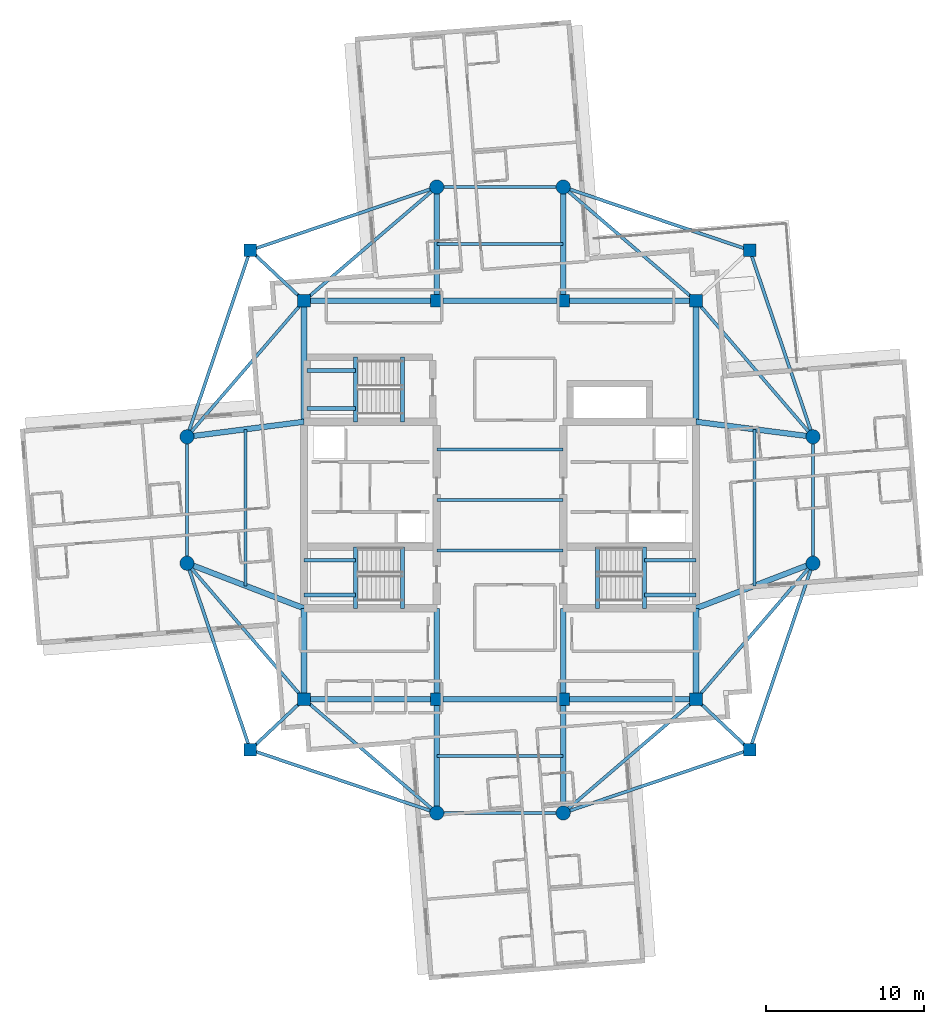
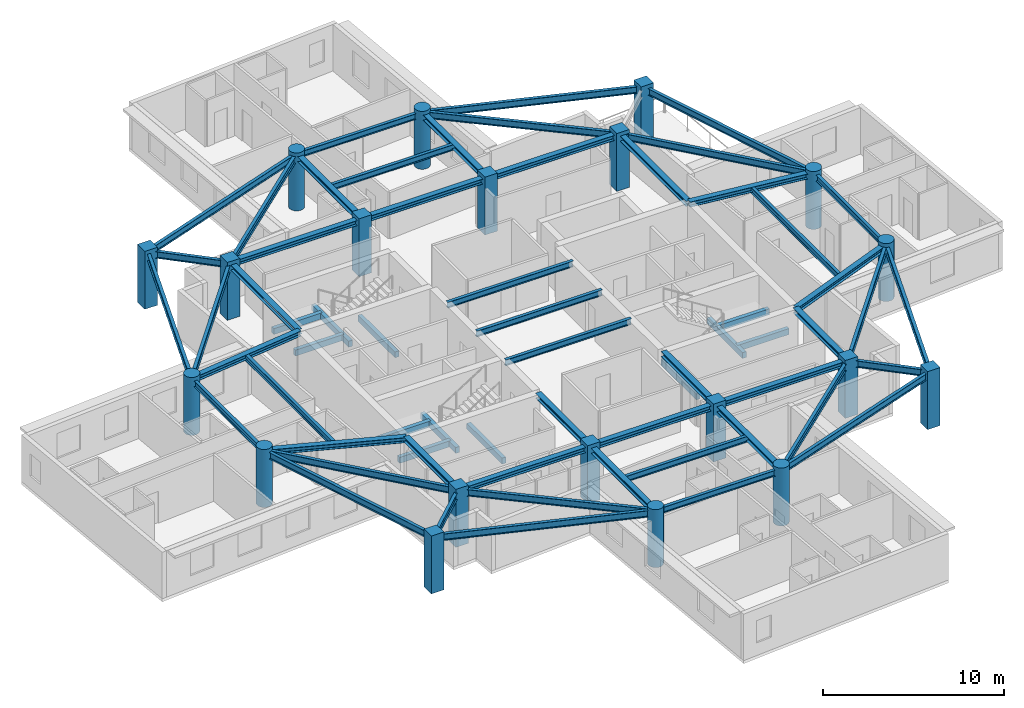
# One storey, part 1 of 13: 62 beams, 20 columns.
"""IFC4 building model written with IfcOpenShell, lengths in metres."""

from ifc_helpers import new_model, si_unit, direction, frame, origin, origin_2d, place, context, subcontext, project, spatial, rectangle, circle, i_section, extrude, material, material_profile, profile_set, type_object, element, save


model = new_model("IFC4")

# Units and contexts
model_context = context("Model", 3, precision=1e-05, world=origin(), true_north=direction((0.0, 1.0)))
body_context = subcontext(model_context, "Body", "Model", "MODEL_VIEW")
ifc_project = project(units=[si_unit("LENGTHUNIT", "METRE"), si_unit("AREAUNIT", "SQUARE_METRE"), si_unit("VOLUMEUNIT", "CUBIC_METRE"), si_unit("PLANEANGLEUNIT", "RADIAN"), si_unit("MASSUNIT", "GRAM", prefix="KILO")], contexts=[model_context])

# Site, building, storey
site_placement = place(None, origin())
site = spatial("IfcSite", under=ifc_project, at=site_placement, CompositionType="ELEMENT")
building_placement = place(site_placement, origin())
building = spatial("IfcBuilding", under=site, at=building_placement, Name="Qingluan Cross Belvedere", CompositionType="ELEMENT")
storey_placement = place(building_placement, frame((0.0, 0.0, 285.0)))
storey = spatial("IfcBuildingStorey", under=building, at=storey_placement, Name="L71", CompositionType="ELEMENT", Elevation=285.0)

# Columns
ifc_material_1 = material(Name="Concrete C50", Category="concrete")
ifc_material_profile_1 = material_profile(ifc_material_1, rectangle(XDim=0.800048828125, YDim=0.800048828125, at=origin_2d()), Name="RC800x800")
ifc_profile_set_1 = profile_set([ifc_material_profile_1], Name="Concrete C50")
column_type_1 = type_object("IfcColumnType", Name="Column_RC800x800", PredefinedType="COLUMN", material=ifc_profile_set_1)
for number, where, z_axis, x_axis, name in (
    (1, (15.800048828125, 15.800048828125, 0.0), (0.0, 0.0, 1.0), (1.0, 0.0, 0.0), "Corner column L71-RNE"),
    (2, (-15.800048828125, 15.800048828125, 0.0), (0.0, 0.0, 1.0), (1.0, 0.0, 0.0), "Corner column L71-RNW"),
    (3, (-15.800048828125, -15.800048828125, 0.0), (0.0, 0.0, 1.0), (1.0, 0.0, 0.0), "Corner column L71-RSW"),
    (4, (15.800048828125, -15.800048828125, 0.0), (0.0, 0.0, 1.0), (1.0, 0.0, 0.0), "Corner column L71-RSE"),
    (5, (-12.39990234375, -12.60009765625, 0.0), (0.0, 0.0, 1.0), (1.0, 0.0, 0.0), "Hub column L71-HC1"),
    (6, (12.39990234375, -12.60009765625, 0.0), (0.0, 0.0, 1.0), (1.0, 0.0, 0.0), "Hub column L71-HC2"),
    (7, (12.39990234375, 12.60009765625, 0.0), (0.0, 0.0, 1.0), (1.0, 0.0, 0.0), "Hub column L71-HC3"),
    (8, (-12.39990234375, 12.60009765625, 0.0), (0.0, 0.0, 1.0), (1.0, 0.0, 0.0), "Hub column L71-HC4"),
    (9, (-4.0, -12.60009765625, 0.0), (0.0, 0.0, 1.0), (1.0, 0.0, 0.0), "Hub column L71-HC5"),
    (10, (4.0, -12.60009765625, 0.0), (0.0, 0.0, 1.0), (1.0, 0.0, 0.0), "Hub column L71-HC6"),
    (11, (4.0, 12.60009765625, 0.0), (0.0, 0.0, 1.0), (1.0, 0.0, 0.0), "Hub column L71-HC7"),
    (12, (-4.0, 12.60009765625, 0.0), (0.0, 0.0, 1.0), (1.0, 0.0, 0.0), "Hub column L71-HC8"),
):
    element("IfcColumn", number, at=place(storey_placement, frame(where, z_axis=z_axis, x_axis=x_axis)), inside=storey, type_object=column_type_1, Name=name, PredefinedType="COLUMN", context=body_context, shape_type="SweptSolid", body=[
        extrude(rectangle(XDim=0.800048828125, YDim=0.800048828125, at=origin_2d()), origin(), (0.0, 0.0, 1.0), 3.89990234375),
    ])
ifc_material_2 = material(Name="Concrete C50", Category="concrete")
ifc_material_profile_2 = material_profile(ifc_material_2, circle(Radius=0.449951171875, at=origin_2d()), Name="RCC900")
ifc_profile_set_2 = profile_set([ifc_material_profile_2], Name="Concrete C50")
column_type_2 = type_object("IfcColumnType", Name="Column_RCC900", PredefinedType="COLUMN", material=ifc_profile_set_2)
for number, where, z_axis, x_axis, name in (
    (13, (19.800048828125, -4.0, 0.0), (0.0, 0.0, 1.0), (1.0, 0.0, 0.0), "Arm column L71-EIA"),
    (14, (19.800048828125, 4.0, 0.0), (0.0, 0.0, 1.0), (1.0, 0.0, 0.0), "Arm column L71-EIB"),
    (15, (-19.800048828125, -4.0, 0.0), (0.0, 0.0, 1.0), (1.0, 0.0, 0.0), "Arm column L71-WIA"),
    (16, (-19.800048828125, 4.0, 0.0), (0.0, 0.0, 1.0), (1.0, 0.0, 0.0), "Arm column L71-WIB"),
    (17, (-4.0, -19.800048828125, 0.0), (0.0, 0.0, 1.0), (1.0, 0.0, 0.0), "Arm column L71-SIA"),
    (18, (4.0, -19.800048828125, 0.0), (0.0, 0.0, 1.0), (1.0, 0.0, 0.0), "Arm column L71-SIB"),
    (19, (-4.0, 19.800048828125, 0.0), (0.0, 0.0, 1.0), (1.0, 0.0, 0.0), "Arm column L71-NIA"),
    (20, (4.0, 19.800048828125, 0.0), (0.0, 0.0, 1.0), (1.0, 0.0, 0.0), "Arm column L71-NIB"),
):
    element("IfcColumn", number, at=place(storey_placement, frame(where, z_axis=z_axis, x_axis=x_axis)), inside=storey, type_object=column_type_2, Name=name, PredefinedType="COLUMN", context=body_context, shape_type="SweptSolid", body=[
        extrude(circle(Radius=0.449951171875, at=origin_2d()), origin(), (0.0, 0.0, 1.0), 3.89990234375),
    ])

# Beams
ifc_material_3 = material(Name="Concrete C45", Category="concrete")
ifc_material_profile_3 = material_profile(ifc_material_3, rectangle(XDim=0.25, YDim=0.39990234375, at=origin_2d()), Name="RC250x400")
ifc_profile_set_3 = profile_set([ifc_material_profile_3], Name="Concrete C45")
beam_type_1 = type_object("IfcBeamType", Name="RC_Lintel_RC250x400", PredefinedType="LINTEL", material=ifc_profile_set_3)
for number, where, z_axis, x_axis, name in (
    (21, (-6.179931640625, -6.85009765625, -0.199951171875), (0.0, 1.0, 0.0), (-1.0, 0.0, 0.0), "Stair ST1 landing beam L71"),
    (22, (6.179931640625, -6.85009765625, -0.199951171875), (0.0, 1.0, 0.0), (-1.0, 0.0, 0.0), "Stair ST2 landing beam L71"),
):
    element("IfcBeam", number, at=place(storey_placement, frame(where, z_axis=z_axis, x_axis=x_axis)), inside=storey, type_object=beam_type_1, Name=name, PredefinedType="LINTEL", context=body_context, shape_type="SweptSolid", body=[
        extrude(rectangle(XDim=0.25, YDim=0.39990234375, at=origin_2d()), origin(), (0.0, 0.0, 1.0), 3.89013671875),
    ])
beam_1_placement = place(storey_placement, frame((-6.179931640625, 4.949951171875, -0.199951171875), z_axis=(0.0, 1.0, 0.0), x_axis=(-1.0, 0.0, 0.0)))
element("IfcBeam", 23, at=beam_1_placement, inside=storey, type_object=beam_type_1, Name="Stair ST3 landing beam L71", PredefinedType="LINTEL", context=body_context, shape_type="SweptSolid", body=[
    extrude(rectangle(XDim=0.25, YDim=0.39990234375, at=origin_2d()), origin(), (0.0, 0.0, 1.0), 4.090087890625),
])
beam_2_placement = place(storey_placement, frame((-9.1298828125, -6.85009765625, 1.550048828125), z_axis=(0.0, 1.0, 0.0), x_axis=(-1.0, 0.0, 0.0)))
element("IfcBeam", 24, at=beam_2_placement, inside=storey, type_object=beam_type_1, Name="Stair ST1 beam A L71", PredefinedType="LINTEL", context=body_context, shape_type="SweptSolid", body=[
    extrude(rectangle(XDim=0.25, YDim=0.39990234375, at=origin_2d()), origin(), (0.0, 0.0, 1.0), 3.89013671875),
])
for number, where, z_axis, x_axis, name in (
    (25, (-12.39990234375, -6.0, 1.550048828125), (1.0, 0.0, 0.0), (0.0, 1.0, 0.0), "Stair ST1 beam B L71"),
    (26, (-12.39990234375, -3.81005859375, 1.550048828125), (1.0, 0.0, 0.0), (0.0, 1.0, 0.0), "Stair ST1 beam C L71"),
):
    element("IfcBeam", number, at=place(storey_placement, frame(where, z_axis=z_axis, x_axis=x_axis)), inside=storey, type_object=beam_type_1, Name=name, PredefinedType="LINTEL", context=body_context, shape_type="SweptSolid", body=[
        extrude(rectangle(XDim=0.25, YDim=0.39990234375, at=origin_2d()), origin(), (0.0, 0.0, 1.0), 3.27001953125),
    ])
beam_3_placement = place(storey_placement, frame((9.1298828125, -6.85009765625, 1.550048828125), z_axis=(0.0, 1.0, 0.0), x_axis=(-1.0, 0.0, 0.0)))
element("IfcBeam", 27, at=beam_3_placement, inside=storey, type_object=beam_type_1, Name="Stair ST2 beam A L71", PredefinedType="LINTEL", context=body_context, shape_type="SweptSolid", body=[
    extrude(rectangle(XDim=0.25, YDim=0.39990234375, at=origin_2d()), origin(), (0.0, 0.0, 1.0), 3.89013671875),
])
for number, where, z_axis, x_axis, name in (
    (28, (12.39990234375, -6.0, 1.550048828125), (-1.0, 0.0, 0.0), (0.0, -1.0, 0.0), "Stair ST2 beam B L71"),
    (29, (12.39990234375, -3.81005859375, 1.550048828125), (-1.0, 0.0, 0.0), (0.0, -1.0, 0.0), "Stair ST2 beam C L71"),
):
    element("IfcBeam", number, at=place(storey_placement, frame(where, z_axis=z_axis, x_axis=x_axis)), inside=storey, type_object=beam_type_1, Name=name, PredefinedType="LINTEL", context=body_context, shape_type="SweptSolid", body=[
        extrude(rectangle(XDim=0.25, YDim=0.39990234375, at=origin_2d()), origin(), (0.0, 0.0, 1.0), 3.27001953125),
    ])
beam_4_placement = place(storey_placement, frame((-9.1298828125, 4.949951171875, 1.550048828125), z_axis=(0.0, 1.0, 0.0), x_axis=(-1.0, 0.0, 0.0)))
element("IfcBeam", 30, at=beam_4_placement, inside=storey, type_object=beam_type_1, Name="Stair ST3 beam A L71", PredefinedType="LINTEL", context=body_context, shape_type="SweptSolid", body=[
    extrude(rectangle(XDim=0.25, YDim=0.39990234375, at=origin_2d()), origin(), (0.0, 0.0, 1.0), 4.090087890625),
])
for number, where, z_axis, x_axis, name in (
    (31, (-12.219970703125, 5.800048828125, 1.550048828125), (1.0, 0.0, 0.0), (0.0, 1.0, 0.0), "Stair ST3 beam B L71"),
    (32, (-12.219970703125, 8.18994140625, 1.550048828125), (1.0, 0.0, 0.0), (0.0, 1.0, 0.0), "Stair ST3 beam C L71"),
):
    element("IfcBeam", number, at=place(storey_placement, frame(where, z_axis=z_axis, x_axis=x_axis)), inside=storey, type_object=beam_type_1, Name=name, PredefinedType="LINTEL", context=body_context, shape_type="SweptSolid", body=[
        extrude(rectangle(XDim=0.25, YDim=0.39990234375, at=origin_2d()), origin(), (0.0, 0.0, 1.0), 3.090087890625),
    ])
ifc_material_4 = material(Name="Steel Q420GJB", Category="steel")
ifc_material_profile_4 = material_profile(ifc_material_4, i_section(OverallWidth=0.199951171875, OverallDepth=0.39990234375, WebThickness=0.008056640625, FlangeThickness=0.012939453125, FilletRadius=0.012939453125, at=origin_2d()), Name="HN400x200x8x13")
ifc_profile_set_4 = profile_set([ifc_material_profile_4], Name="Steel Q420GJB")
beam_type_2 = type_object("IfcBeamType", Name="Steel_Beam_HN400x200x8x13", PredefinedType="JOIST", material=ifc_profile_set_4)
for number, where, z_axis, x_axis, name in (
    (33, (-4.0, -3.199951171875, 3.449951171875), (1.0, 0.0, 0.0), (0.0, 1.0, 0.0), "Hall beam L71-CH1"),
    (34, (-4.0, 0.0, 3.449951171875), (1.0, 0.0, 0.0), (0.0, 1.0, 0.0), "Hall beam L71-CH2"),
    (35, (-4.0, 3.199951171875, 3.449951171875), (1.0, 0.0, 0.0), (0.0, 1.0, 0.0), "Hall beam L71-CH3"),
    (36, (19.800048828125, -4.0, 3.449951171875), (0.0, 1.0, 0.0), (-1.0, 0.0, 0.0), "Arm E tie L71"),
):
    element("IfcBeam", number, at=place(storey_placement, frame(where, z_axis=z_axis, x_axis=x_axis)), inside=storey, type_object=beam_type_2, Name=name, PredefinedType="JOIST", context=body_context, shape_type="SweptSolid", body=[
        extrude(i_section(OverallWidth=0.199951171875, OverallDepth=0.39990234375, WebThickness=0.008056640625, FlangeThickness=0.012939453125, FilletRadius=0.012939453125, at=origin_2d()), origin(), (0.0, 0.0, 1.0), 8.0),
    ])
beam_5_placement = place(storey_placement, frame((16.10009765625, -5.425048828125, 3.449951171875), z_axis=(0.0, 1.0, 0.0), x_axis=(-1.0, 0.0, 0.0)))
element("IfcBeam", 37, at=beam_5_placement, inside=storey, type_object=beam_type_2, Name="Arm E beam L71", PredefinedType="JOIST", context=body_context, shape_type="SweptSolid", body=[
    extrude(i_section(OverallWidth=0.199951171875, OverallDepth=0.39990234375, WebThickness=0.008056640625, FlangeThickness=0.012939453125, FilletRadius=0.012939453125, at=origin_2d()), origin(), (0.0, 0.0, 1.0), 9.900146484375),
])
beam_6_placement = place(storey_placement, frame((-19.800048828125, -4.0, 3.449951171875), z_axis=(0.0, 1.0, 0.0), x_axis=(-1.0, 0.0, 0.0)))
element("IfcBeam", 38, at=beam_6_placement, inside=storey, type_object=beam_type_2, Name="Arm W tie L71", PredefinedType="JOIST", context=body_context, shape_type="SweptSolid", body=[
    extrude(i_section(OverallWidth=0.199951171875, OverallDepth=0.39990234375, WebThickness=0.008056640625, FlangeThickness=0.012939453125, FilletRadius=0.012939453125, at=origin_2d()), origin(), (0.0, 0.0, 1.0), 8.0),
])
beam_7_placement = place(storey_placement, frame((-16.10009765625, -5.425048828125, 3.449951171875), z_axis=(0.0, 1.0, 0.0), x_axis=(-1.0, 0.0, 0.0)))
element("IfcBeam", 39, at=beam_7_placement, inside=storey, type_object=beam_type_2, Name="Arm W beam L71", PredefinedType="JOIST", context=body_context, shape_type="SweptSolid", body=[
    extrude(i_section(OverallWidth=0.199951171875, OverallDepth=0.39990234375, WebThickness=0.008056640625, FlangeThickness=0.012939453125, FilletRadius=0.012939453125, at=origin_2d()), origin(), (0.0, 0.0, 1.0), 9.900146484375),
])
for number, where, z_axis, x_axis, name in (
    (40, (-4.0, 19.800048828125, 3.449951171875), (1.0, 0.0, 0.0), (0.0, 1.0, 0.0), "Arm N tie L71"),
    (41, (-4.0, 16.199951171875, 3.449951171875), (1.0, 0.0, 0.0), (0.0, 1.0, 0.0), "Arm N beam L71"),
    (42, (-4.0, -19.800048828125, 3.449951171875), (1.0, 0.0, 0.0), (0.0, 1.0, 0.0), "Arm S tie L71"),
    (43, (-4.0, -16.199951171875, 3.449951171875), (1.0, 0.0, 0.0), (0.0, 1.0, 0.0), "Arm S beam L71"),
):
    element("IfcBeam", number, at=place(storey_placement, frame(where, z_axis=z_axis, x_axis=x_axis)), inside=storey, type_object=beam_type_2, Name=name, PredefinedType="JOIST", context=body_context, shape_type="SweptSolid", body=[
        extrude(i_section(OverallWidth=0.199951171875, OverallDepth=0.39990234375, WebThickness=0.008056640625, FlangeThickness=0.012939453125, FilletRadius=0.012939453125, at=origin_2d()), origin(), (0.0, 0.0, 1.0), 8.0),
    ])
ifc_material_5 = material(Name="Steel Q420GJB", Category="steel")
ifc_material_profile_5 = material_profile(ifc_material_5, i_section(OverallWidth=0.199951171875, OverallDepth=0.449951171875, WebThickness=0.009033203125, FlangeThickness=0.013916015625, FilletRadius=0.01611328125, at=origin_2d()), Name="HN450x200x9x14")
ifc_profile_set_5 = profile_set([ifc_material_profile_5], Name="Steel Q420GJB")
beam_type_3 = type_object("IfcBeamType", Name="Steel_Beam_HN450x200x9x14", PredefinedType="JOIST", material=ifc_profile_set_5)
for number, where, z_axis, x_axis, name in (
    (44, (15.800048828125, 15.800048828125, 3.425048828125), (-0.947066283324, 0.321038089628, 0.0), (-0.321038089628, -0.947066283324, 0.0), "Corner beam 2 L71-RNE"),
    (45, (15.800048828125, 15.800048828125, 3.425048828125), (0.321038089628, -0.947066283324, 0.0), (0.947066283324, 0.321038089628, 0.0), "Corner beam 3 L71-RNE"),
):
    element("IfcBeam", number, at=place(storey_placement, frame(where, z_axis=z_axis, x_axis=x_axis)), inside=storey, type_object=beam_type_3, Name=name, PredefinedType="JOIST", context=body_context, shape_type="SweptSolid", body=[
        extrude(i_section(OverallWidth=0.199951171875, OverallDepth=0.449951171875, WebThickness=0.009033203125, FlangeThickness=0.013916015625, FilletRadius=0.01611328125, at=origin_2d()), origin(), (0.0, 0.0, 1.0), 12.45947265625),
    ])
beam_8_placement = place(storey_placement, frame((12.39990234375, 12.60009765625, 3.425048828125), z_axis=(0.652245077546, -0.75800815221, 0.0), x_axis=(0.75800815221, 0.652245077546, 0.0)))
element("IfcBeam", 46, at=beam_8_placement, inside=storey, type_object=beam_type_3, Name="Corner beam 4 L71-RNE", PredefinedType="JOIST", context=body_context, shape_type="SweptSolid", body=[
    extrude(i_section(OverallWidth=0.199951171875, OverallDepth=0.449951171875, WebThickness=0.009033203125, FlangeThickness=0.013916015625, FilletRadius=0.01611328125, at=origin_2d()), origin(), (0.0, 0.0, 1.0), 11.345703125),
])
beam_9_placement = place(storey_placement, frame((12.39990234375, 12.60009765625, 3.425048828125), z_axis=(-0.759255044656, 0.650793190779, 0.0), x_axis=(-0.650793190779, -0.759255044656, 0.0)))
element("IfcBeam", 47, at=beam_9_placement, inside=storey, type_object=beam_type_3, Name="Corner beam 5 L71-RNE", PredefinedType="JOIST", context=body_context, shape_type="SweptSolid", body=[
    extrude(i_section(OverallWidth=0.199951171875, OverallDepth=0.449951171875, WebThickness=0.009033203125, FlangeThickness=0.013916015625, FilletRadius=0.01611328125, at=origin_2d()), origin(), (0.0, 0.0, 1.0), 11.063232421875),
])
beam_10_placement = place(storey_placement, frame((-12.39990234375, 12.60009765625, 3.425048828125), z_axis=(-0.728219948308, 0.685343495546, 0.0), x_axis=(-0.685343495546, -0.728219948308, 0.0)))
element("IfcBeam", 48, at=beam_10_placement, inside=storey, type_object=beam_type_3, Name="Corner beam 1 L71-RNW", PredefinedType="JOIST", context=body_context, shape_type="SweptSolid", body=[
    extrude(i_section(OverallWidth=0.199951171875, OverallDepth=0.449951171875, WebThickness=0.009033203125, FlangeThickness=0.013916015625, FilletRadius=0.01611328125, at=origin_2d()), origin(), (0.0, 0.0, 1.0), 4.669189453125),
])
for number, where, z_axis, x_axis, name in (
    (49, (-15.800048828125, 15.800048828125, 3.425048828125), (0.947066283324, 0.321038089628, 0.0), (-0.321038089628, 0.947066283324, 0.0), "Corner beam 2 L71-RNW"),
    (50, (-15.800048828125, 15.800048828125, 3.425048828125), (-0.321038089628, -0.947066283324, 0.0), (0.947066283324, -0.321038089628, 0.0), "Corner beam 3 L71-RNW"),
):
    element("IfcBeam", number, at=place(storey_placement, frame(where, z_axis=z_axis, x_axis=x_axis)), inside=storey, type_object=beam_type_3, Name=name, PredefinedType="JOIST", context=body_context, shape_type="SweptSolid", body=[
        extrude(i_section(OverallWidth=0.199951171875, OverallDepth=0.449951171875, WebThickness=0.009033203125, FlangeThickness=0.013916015625, FilletRadius=0.01611328125, at=origin_2d()), origin(), (0.0, 0.0, 1.0), 12.45947265625),
    ])
beam_11_placement = place(storey_placement, frame((-12.39990234375, 12.60009765625, 3.425048828125), z_axis=(-0.652245077546, -0.75800815221, 0.0), x_axis=(0.75800815221, -0.652245077546, 0.0)))
element("IfcBeam", 51, at=beam_11_placement, inside=storey, type_object=beam_type_3, Name="Corner beam 4 L71-RNW", PredefinedType="JOIST", context=body_context, shape_type="SweptSolid", body=[
    extrude(i_section(OverallWidth=0.199951171875, OverallDepth=0.449951171875, WebThickness=0.009033203125, FlangeThickness=0.013916015625, FilletRadius=0.01611328125, at=origin_2d()), origin(), (0.0, 0.0, 1.0), 11.345703125),
])
beam_12_placement = place(storey_placement, frame((-12.39990234375, 12.60009765625, 3.425048828125), z_axis=(0.759255044656, 0.650793190779, 0.0), x_axis=(-0.650793190779, 0.759255044656, 0.0)))
element("IfcBeam", 52, at=beam_12_placement, inside=storey, type_object=beam_type_3, Name="Corner beam 5 L71-RNW", PredefinedType="JOIST", context=body_context, shape_type="SweptSolid", body=[
    extrude(i_section(OverallWidth=0.199951171875, OverallDepth=0.449951171875, WebThickness=0.009033203125, FlangeThickness=0.013916015625, FilletRadius=0.01611328125, at=origin_2d()), origin(), (0.0, 0.0, 1.0), 11.063232421875),
])
beam_13_placement = place(storey_placement, frame((-12.39990234375, -12.60009765625, 3.425048828125), z_axis=(-0.728219948308, -0.685343495546, 0.0), x_axis=(0.685343495546, -0.728219948308, 0.0)))
element("IfcBeam", 53, at=beam_13_placement, inside=storey, type_object=beam_type_3, Name="Corner beam 1 L71-RSW", PredefinedType="JOIST", context=body_context, shape_type="SweptSolid", body=[
    extrude(i_section(OverallWidth=0.199951171875, OverallDepth=0.449951171875, WebThickness=0.009033203125, FlangeThickness=0.013916015625, FilletRadius=0.01611328125, at=origin_2d()), origin(), (0.0, 0.0, 1.0), 4.669189453125),
])
for number, where, z_axis, x_axis, name in (
    (54, (-15.800048828125, -15.800048828125, 3.425048828125), (0.947066283324, -0.321038089628, 0.0), (0.321038089628, 0.947066283324, 0.0), "Corner beam 2 L71-RSW"),
    (55, (-15.800048828125, -15.800048828125, 3.425048828125), (-0.321038089628, 0.947066283324, 0.0), (-0.947066283324, -0.321038089628, 0.0), "Corner beam 3 L71-RSW"),
):
    element("IfcBeam", number, at=place(storey_placement, frame(where, z_axis=z_axis, x_axis=x_axis)), inside=storey, type_object=beam_type_3, Name=name, PredefinedType="JOIST", context=body_context, shape_type="SweptSolid", body=[
        extrude(i_section(OverallWidth=0.199951171875, OverallDepth=0.449951171875, WebThickness=0.009033203125, FlangeThickness=0.013916015625, FilletRadius=0.01611328125, at=origin_2d()), origin(), (0.0, 0.0, 1.0), 12.45947265625),
    ])
beam_14_placement = place(storey_placement, frame((-12.39990234375, -12.60009765625, 3.425048828125), z_axis=(-0.652245077546, 0.75800815221, 0.0), x_axis=(-0.75800815221, -0.652245077546, 0.0)))
element("IfcBeam", 56, at=beam_14_placement, inside=storey, type_object=beam_type_3, Name="Corner beam 4 L71-RSW", PredefinedType="JOIST", context=body_context, shape_type="SweptSolid", body=[
    extrude(i_section(OverallWidth=0.199951171875, OverallDepth=0.449951171875, WebThickness=0.009033203125, FlangeThickness=0.013916015625, FilletRadius=0.01611328125, at=origin_2d()), origin(), (0.0, 0.0, 1.0), 11.345703125),
])
beam_15_placement = place(storey_placement, frame((-12.39990234375, -12.60009765625, 3.425048828125), z_axis=(0.759255044656, -0.650793190779, 0.0), x_axis=(0.650793190779, 0.759255044656, 0.0)))
element("IfcBeam", 57, at=beam_15_placement, inside=storey, type_object=beam_type_3, Name="Corner beam 5 L71-RSW", PredefinedType="JOIST", context=body_context, shape_type="SweptSolid", body=[
    extrude(i_section(OverallWidth=0.199951171875, OverallDepth=0.449951171875, WebThickness=0.009033203125, FlangeThickness=0.013916015625, FilletRadius=0.01611328125, at=origin_2d()), origin(), (0.0, 0.0, 1.0), 11.063232421875),
])
beam_16_placement = place(storey_placement, frame((12.39990234375, -12.60009765625, 3.425048828125), z_axis=(0.728219948308, -0.685343495546, 0.0), x_axis=(0.685343495546, 0.728219948308, 0.0)))
element("IfcBeam", 58, at=beam_16_placement, inside=storey, type_object=beam_type_3, Name="Corner beam 1 L71-RSE", PredefinedType="JOIST", context=body_context, shape_type="SweptSolid", body=[
    extrude(i_section(OverallWidth=0.199951171875, OverallDepth=0.449951171875, WebThickness=0.009033203125, FlangeThickness=0.013916015625, FilletRadius=0.01611328125, at=origin_2d()), origin(), (0.0, 0.0, 1.0), 4.669189453125),
])
for number, where, z_axis, x_axis, name in (
    (59, (15.800048828125, -15.800048828125, 3.425048828125), (-0.947066283324, -0.321038089628, 0.0), (0.321038089628, -0.947066283324, 0.0), "Corner beam 2 L71-RSE"),
    (60, (15.800048828125, -15.800048828125, 3.425048828125), (0.321038089628, 0.947066283324, 0.0), (-0.947066283324, 0.321038089628, 0.0), "Corner beam 3 L71-RSE"),
):
    element("IfcBeam", number, at=place(storey_placement, frame(where, z_axis=z_axis, x_axis=x_axis)), inside=storey, type_object=beam_type_3, Name=name, PredefinedType="JOIST", context=body_context, shape_type="SweptSolid", body=[
        extrude(i_section(OverallWidth=0.199951171875, OverallDepth=0.449951171875, WebThickness=0.009033203125, FlangeThickness=0.013916015625, FilletRadius=0.01611328125, at=origin_2d()), origin(), (0.0, 0.0, 1.0), 12.45947265625),
    ])
beam_17_placement = place(storey_placement, frame((12.39990234375, -12.60009765625, 3.425048828125), z_axis=(0.652245077546, 0.75800815221, 0.0), x_axis=(-0.75800815221, 0.652245077546, 0.0)))
element("IfcBeam", 61, at=beam_17_placement, inside=storey, type_object=beam_type_3, Name="Corner beam 4 L71-RSE", PredefinedType="JOIST", context=body_context, shape_type="SweptSolid", body=[
    extrude(i_section(OverallWidth=0.199951171875, OverallDepth=0.449951171875, WebThickness=0.009033203125, FlangeThickness=0.013916015625, FilletRadius=0.01611328125, at=origin_2d()), origin(), (0.0, 0.0, 1.0), 11.345703125),
])
beam_18_placement = place(storey_placement, frame((12.39990234375, -12.60009765625, 3.425048828125), z_axis=(-0.759255044656, -0.650793190779, 0.0), x_axis=(0.650793190779, -0.759255044656, 0.0)))
element("IfcBeam", 62, at=beam_18_placement, inside=storey, type_object=beam_type_3, Name="Corner beam 5 L71-RSE", PredefinedType="JOIST", context=body_context, shape_type="SweptSolid", body=[
    extrude(i_section(OverallWidth=0.199951171875, OverallDepth=0.449951171875, WebThickness=0.009033203125, FlangeThickness=0.013916015625, FilletRadius=0.01611328125, at=origin_2d()), origin(), (0.0, 0.0, 1.0), 11.063232421875),
])
ifc_material_6 = material(Name="Steel Q420GJB", Category="steel")
ifc_material_profile_6 = material_profile(ifc_material_6, i_section(OverallWidth=0.35009765625, OverallDepth=0.35009765625, WebThickness=0.011962890625, FlangeThickness=0.01904296875, FilletRadius=0.02001953125, at=origin_2d()), Name="HW350x350x12x19")
ifc_profile_set_6 = profile_set([ifc_material_profile_6], Name="Steel Q420GJB")
beam_type_4 = type_object("IfcBeamType", Name="Steel_Girder_HW350x350x12x19", PredefinedType="USERDEFINED", material=ifc_profile_set_6)
beam_19_placement = place(storey_placement, frame((-12.39990234375, -12.60009765625, 3.47509765625), z_axis=(1.0, 0.0, 0.0), x_axis=(0.0, 1.0, 0.0)))
element("IfcBeam", 63, at=beam_19_placement, inside=storey, type_object=beam_type_4, Name="Hub girder L71-HG-S1", ObjectType="GIRDER", PredefinedType="USERDEFINED", context=body_context, shape_type="SweptSolid", body=[
    extrude(i_section(OverallWidth=0.35009765625, OverallDepth=0.35009765625, WebThickness=0.011962890625, FlangeThickness=0.01904296875, FilletRadius=0.02001953125, at=origin_2d()), origin(), (0.0, 0.0, 1.0), 8.39990234375),
])
beam_20_placement = place(storey_placement, frame((-4.0, -12.60009765625, 3.47509765625), z_axis=(1.0, 0.0, 0.0), x_axis=(0.0, 1.0, 0.0)))
element("IfcBeam", 64, at=beam_20_placement, inside=storey, type_object=beam_type_4, Name="Hub girder L71-HG-S2", ObjectType="GIRDER", PredefinedType="USERDEFINED", context=body_context, shape_type="SweptSolid", body=[
    extrude(i_section(OverallWidth=0.35009765625, OverallDepth=0.35009765625, WebThickness=0.011962890625, FlangeThickness=0.01904296875, FilletRadius=0.02001953125, at=origin_2d()), origin(), (0.0, 0.0, 1.0), 8.0),
])
for number, where, z_axis, x_axis, name in (
    (65, (4.0, -12.60009765625, 3.47509765625), (1.0, 0.0, 0.0), (0.0, 1.0, 0.0), "Hub girder L71-HG-S3"),
    (66, (-12.39990234375, 12.60009765625, 3.47509765625), (1.0, 0.0, 0.0), (0.0, 1.0, 0.0), "Hub girder L71-HG-N1"),
):
    element("IfcBeam", number, at=place(storey_placement, frame(where, z_axis=z_axis, x_axis=x_axis)), inside=storey, type_object=beam_type_4, Name=name, ObjectType="GIRDER", PredefinedType="USERDEFINED", context=body_context, shape_type="SweptSolid", body=[
        extrude(i_section(OverallWidth=0.35009765625, OverallDepth=0.35009765625, WebThickness=0.011962890625, FlangeThickness=0.01904296875, FilletRadius=0.02001953125, at=origin_2d()), origin(), (0.0, 0.0, 1.0), 8.39990234375),
    ])
beam_21_placement = place(storey_placement, frame((-4.0, 12.60009765625, 3.47509765625), z_axis=(1.0, 0.0, 0.0), x_axis=(0.0, 1.0, 0.0)))
element("IfcBeam", 67, at=beam_21_placement, inside=storey, type_object=beam_type_4, Name="Hub girder L71-HG-N2", ObjectType="GIRDER", PredefinedType="USERDEFINED", context=body_context, shape_type="SweptSolid", body=[
    extrude(i_section(OverallWidth=0.35009765625, OverallDepth=0.35009765625, WebThickness=0.011962890625, FlangeThickness=0.01904296875, FilletRadius=0.02001953125, at=origin_2d()), origin(), (0.0, 0.0, 1.0), 8.0),
])
beam_22_placement = place(storey_placement, frame((4.0, 12.60009765625, 3.47509765625), z_axis=(1.0, 0.0, 0.0), x_axis=(0.0, 1.0, 0.0)))
element("IfcBeam", 68, at=beam_22_placement, inside=storey, type_object=beam_type_4, Name="Hub girder L71-HG-N3", ObjectType="GIRDER", PredefinedType="USERDEFINED", context=body_context, shape_type="SweptSolid", body=[
    extrude(i_section(OverallWidth=0.35009765625, OverallDepth=0.35009765625, WebThickness=0.011962890625, FlangeThickness=0.01904296875, FilletRadius=0.02001953125, at=origin_2d()), origin(), (0.0, 0.0, 1.0), 8.39990234375),
])
beam_23_placement = place(storey_placement, frame((-12.39990234375, -12.60009765625, 3.47509765625), z_axis=(0.0, 1.0, 0.0), x_axis=(-1.0, 0.0, 0.0)))
element("IfcBeam", 69, at=beam_23_placement, inside=storey, type_object=beam_type_4, Name="Hub girder L71-HG-W1", ObjectType="GIRDER", PredefinedType="USERDEFINED", context=body_context, shape_type="SweptSolid", body=[
    extrude(i_section(OverallWidth=0.35009765625, OverallDepth=0.35009765625, WebThickness=0.011962890625, FlangeThickness=0.01904296875, FilletRadius=0.02001953125, at=origin_2d()), origin(), (0.0, 0.0, 1.0), 5.75),
])
beam_24_placement = place(storey_placement, frame((-12.39990234375, 4.949951171875, 3.47509765625), z_axis=(0.0, 1.0, 0.0), x_axis=(-1.0, 0.0, 0.0)))
element("IfcBeam", 70, at=beam_24_placement, inside=storey, type_object=beam_type_4, Name="Hub girder L71-HG-W2", ObjectType="GIRDER", PredefinedType="USERDEFINED", context=body_context, shape_type="SweptSolid", body=[
    extrude(i_section(OverallWidth=0.35009765625, OverallDepth=0.35009765625, WebThickness=0.011962890625, FlangeThickness=0.01904296875, FilletRadius=0.02001953125, at=origin_2d()), origin(), (0.0, 0.0, 1.0), 7.650146484375),
])
beam_25_placement = place(storey_placement, frame((12.39990234375, -12.60009765625, 3.47509765625), z_axis=(0.0, 1.0, 0.0), x_axis=(-1.0, 0.0, 0.0)))
element("IfcBeam", 71, at=beam_25_placement, inside=storey, type_object=beam_type_4, Name="Hub girder L71-HG-E1", ObjectType="GIRDER", PredefinedType="USERDEFINED", context=body_context, shape_type="SweptSolid", body=[
    extrude(i_section(OverallWidth=0.35009765625, OverallDepth=0.35009765625, WebThickness=0.011962890625, FlangeThickness=0.01904296875, FilletRadius=0.02001953125, at=origin_2d()), origin(), (0.0, 0.0, 1.0), 5.75),
])
beam_26_placement = place(storey_placement, frame((12.39990234375, 4.949951171875, 3.47509765625), z_axis=(0.0, 1.0, 0.0), x_axis=(-1.0, 0.0, 0.0)))
element("IfcBeam", 72, at=beam_26_placement, inside=storey, type_object=beam_type_4, Name="Hub girder L71-HG-E2", ObjectType="GIRDER", PredefinedType="USERDEFINED", context=body_context, shape_type="SweptSolid", body=[
    extrude(i_section(OverallWidth=0.35009765625, OverallDepth=0.35009765625, WebThickness=0.011962890625, FlangeThickness=0.01904296875, FilletRadius=0.02001953125, at=origin_2d()), origin(), (0.0, 0.0, 1.0), 7.650146484375),
])
for number, where, z_axis, x_axis, name in (
    (73, (-4.0, -12.60009765625, 3.47509765625), (0.0, 1.0, 0.0), (-1.0, 0.0, 0.0), "Hub girder L71-HG-CW"),
    (74, (4.0, -12.60009765625, 3.47509765625), (0.0, 1.0, 0.0), (-1.0, 0.0, 0.0), "Hub girder L71-HG-CE"),
):
    element("IfcBeam", number, at=place(storey_placement, frame(where, z_axis=z_axis, x_axis=x_axis)), inside=storey, type_object=beam_type_4, Name=name, ObjectType="GIRDER", PredefinedType="USERDEFINED", context=body_context, shape_type="SweptSolid", body=[
        extrude(i_section(OverallWidth=0.35009765625, OverallDepth=0.35009765625, WebThickness=0.011962890625, FlangeThickness=0.01904296875, FilletRadius=0.02001953125, at=origin_2d()), origin(), (0.0, 0.0, 1.0), 5.75),
    ])
beam_27_placement = place(storey_placement, frame((12.39990234375, -6.85009765625, 3.47509765625), z_axis=(0.933181258889, 0.359406090735, 0.0), x_axis=(-0.359406090735, 0.933181258889, 0.0)))
element("IfcBeam", 75, at=beam_27_placement, inside=storey, type_object=beam_type_4, Name="Arm E radial girder A L71", ObjectType="GIRDER", PredefinedType="USERDEFINED", context=body_context, shape_type="SweptSolid", body=[
    extrude(i_section(OverallWidth=0.35009765625, OverallDepth=0.35009765625, WebThickness=0.011962890625, FlangeThickness=0.01904296875, FilletRadius=0.02001953125, at=origin_2d()), origin(), (0.0, 0.0, 1.0), 7.929931640625),
])
beam_28_placement = place(storey_placement, frame((12.39990234375, 4.949951171875, 3.47509765625), z_axis=(0.991861120628, -0.12732445714, 0.0), x_axis=(0.12732445714, 0.991861120628, 0.0)))
element("IfcBeam", 76, at=beam_28_placement, inside=storey, type_object=beam_type_4, Name="Arm E radial girder B L71", ObjectType="GIRDER", PredefinedType="USERDEFINED", context=body_context, shape_type="SweptSolid", body=[
    extrude(i_section(OverallWidth=0.35009765625, OverallDepth=0.35009765625, WebThickness=0.011962890625, FlangeThickness=0.01904296875, FilletRadius=0.02001953125, at=origin_2d()), origin(), (0.0, 0.0, 1.0), 7.4609375),
])
beam_29_placement = place(storey_placement, frame((-12.39990234375, -6.85009765625, 3.47509765625), z_axis=(-0.933181258889, 0.359406090735, 0.0), x_axis=(-0.359406090735, -0.933181258889, 0.0)))
element("IfcBeam", 77, at=beam_29_placement, inside=storey, type_object=beam_type_4, Name="Arm W radial girder A L71", ObjectType="GIRDER", PredefinedType="USERDEFINED", context=body_context, shape_type="SweptSolid", body=[
    extrude(i_section(OverallWidth=0.35009765625, OverallDepth=0.35009765625, WebThickness=0.011962890625, FlangeThickness=0.01904296875, FilletRadius=0.02001953125, at=origin_2d()), origin(), (0.0, 0.0, 1.0), 7.929931640625),
])
beam_30_placement = place(storey_placement, frame((-12.39990234375, 4.949951171875, 3.47509765625), z_axis=(-0.991861120628, -0.12732445714, 0.0), x_axis=(0.12732445714, -0.991861120628, 0.0)))
element("IfcBeam", 78, at=beam_30_placement, inside=storey, type_object=beam_type_4, Name="Arm W radial girder B L71", ObjectType="GIRDER", PredefinedType="USERDEFINED", context=body_context, shape_type="SweptSolid", body=[
    extrude(i_section(OverallWidth=0.35009765625, OverallDepth=0.35009765625, WebThickness=0.011962890625, FlangeThickness=0.01904296875, FilletRadius=0.02001953125, at=origin_2d()), origin(), (0.0, 0.0, 1.0), 7.4609375),
])
for number, where, z_axis, x_axis, name in (
    (79, (-4.0, 12.60009765625, 3.47509765625), (0.0, 1.0, 0.0), (-1.0, 0.0, 0.0), "Arm N radial girder A L71"),
    (80, (4.0, 12.60009765625, 3.47509765625), (0.0, 1.0, 0.0), (-1.0, 0.0, 0.0), "Arm N radial girder B L71"),
    (81, (-4.0, -12.60009765625, 3.47509765625), (0.0, -1.0, 0.0), (1.0, 0.0, 0.0), "Arm S radial girder A L71"),
    (82, (4.0, -12.60009765625, 3.47509765625), (0.0, -1.0, 0.0), (1.0, 0.0, 0.0), "Arm S radial girder B L71"),
):
    element("IfcBeam", number, at=place(storey_placement, frame(where, z_axis=z_axis, x_axis=x_axis)), inside=storey, type_object=beam_type_4, Name=name, ObjectType="GIRDER", PredefinedType="USERDEFINED", context=body_context, shape_type="SweptSolid", body=[
        extrude(i_section(OverallWidth=0.35009765625, OverallDepth=0.35009765625, WebThickness=0.011962890625, FlangeThickness=0.01904296875, FilletRadius=0.02001953125, at=origin_2d()), origin(), (0.0, 0.0, 1.0), 7.199951171875),
    ])

save(model, "model.ifc")
